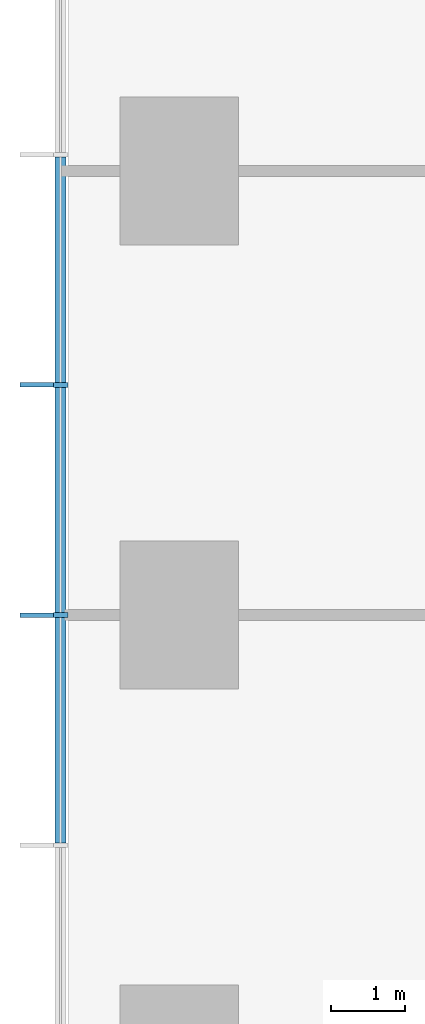
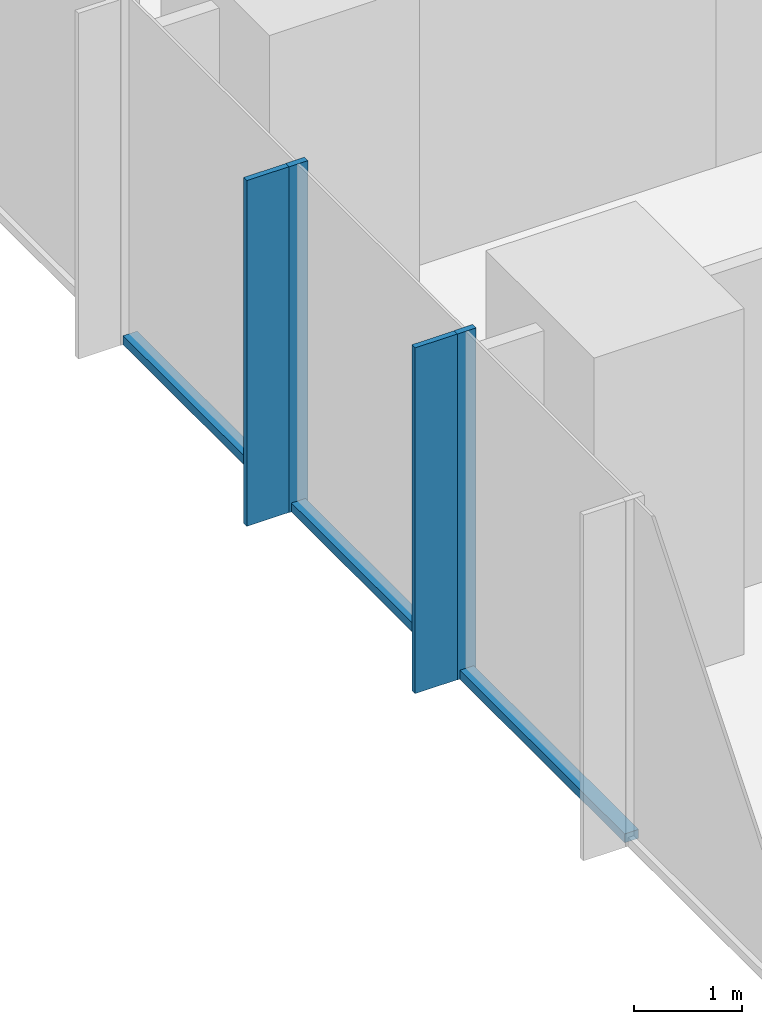
# One storey, part 3 of 11: 7 members, 1 element without a shape of its own.
"""IFC4 building model written with IfcOpenShell, lengths in metres."""

from ifc_helpers import new_model, si_unit, direction, frame, origin, origin_2d, place, context, subcontext, project, spatial, rectangle, extrude, material, layer, layer_set, material_profile, profile_set, type_object, element, aggregate, save


model = new_model("IFC4")

# Units and contexts
model_context = context("Model", 3, precision=1e-05, world=origin(), true_north=direction((0.0, 1.0)))
body_context = subcontext(model_context, "Body", "Model", "MODEL_VIEW")
ifc_project = project(units=[si_unit("LENGTHUNIT", "METRE"), si_unit("AREAUNIT", "SQUARE_METRE"), si_unit("VOLUMEUNIT", "CUBIC_METRE"), si_unit("PLANEANGLEUNIT", "RADIAN"), si_unit("MASSUNIT", "GRAM", prefix="KILO")], contexts=[model_context])

# Site, building, storey
site_placement = place(None, origin())
site = spatial("IfcSite", under=ifc_project, at=site_placement, CompositionType="ELEMENT")
building_placement = place(site_placement, origin())
building = spatial("IfcBuilding", under=site, at=building_placement, Name="Highveld Stack Headquarters", CompositionType="ELEMENT")
storey_placement = place(building_placement, frame((0.0, 0.0, 29.89990234375)))
storey = spatial("IfcBuildingStorey", under=building, at=storey_placement, Name="L06", CompositionType="ELEMENT", Elevation=29.89990234375)

# Curtain wall, members
ifc_material_1 = material(Name="Aluminium bronze anodised", Category="aluminium")
ifc_layer = layer(ifc_material_1, 0.199951171875)
ifc_layer_set = layer_set([ifc_layer], Name="Aluminium bronze anodised")
curtain_wall_type = type_object("IfcCurtainWallType", Name="CW1 TOWER UNITISED CURTAIN WALL", PredefinedType="NOTDEFINED", material=ifc_layer_set)
curtain_wall_placement = place(storey_placement, origin())
curtain_wall = element("IfcCurtainWall", 1, at=curtain_wall_placement, inside=storey, type_object=curtain_wall_type, Name="Curtain wall CW1 L06 W", PredefinedType="NOTDEFINED")
ifc_material_2 = material(Name="Aluminium bronze anodised", Category="aluminium")
ifc_material_profile_1 = material_profile(ifc_material_2, rectangle(XDim=0.449951171875, YDim=0.06005859375, at=origin_2d()), Name="FIN 450x60")
ifc_profile_set_1 = profile_set([ifc_material_profile_1], Name="Aluminium bronze anodised")
member_type_1 = type_object("IfcMemberType", Name="CW1 BRONZE FIN 450x60", PredefinedType="USERDEFINED", material=ifc_profile_set_1)
member_1_placement = place(storey_placement, frame((-25.925048828125, 3.110595703125, 0.0), z_axis=(0.0, 0.0, 1.0), x_axis=(1.0, 0.0, 0.0)))
member_1 = element("IfcMember", 2, at=member_1_placement, type_object=member_type_1, Name="CW1 fin L06 6", ObjectType="FIN", PredefinedType="USERDEFINED", context=body_context, shape_type="SweptSolid", body=[
    extrude(rectangle(XDim=0.449951171875, YDim=0.06005859375, at=origin_2d()), origin(), (0.0, 0.0, 1.0), 3.900146484375),
])
member_2_placement = place(storey_placement, frame((-25.925048828125, 0.0, 0.0), z_axis=(0.0, 0.0, 1.0), x_axis=(1.0, 0.0, 0.0)))
member_2 = element("IfcMember", 3, at=member_2_placement, type_object=member_type_1, Name="CW1 fin L06 7", ObjectType="FIN", PredefinedType="USERDEFINED", context=body_context, shape_type="SweptSolid", body=[
    extrude(rectangle(XDim=0.449951171875, YDim=0.06005859375, at=origin_2d()), origin(), (0.0, 0.0, 1.0), 3.900146484375),
])
ifc_material_3 = material(Name="Aluminium bronze anodised", Category="aluminium")
ifc_material_profile_2 = material_profile(ifc_material_3, rectangle(XDim=0.199951171875, YDim=0.06494140625, at=origin_2d()), Name="CW1 MULLION 65x200")
ifc_profile_set_2 = profile_set([ifc_material_profile_2], Name="Aluminium bronze anodised")
member_type_2 = type_object("IfcMemberType", Name="CW1 MULLION 65x200", PredefinedType="MULLION", material=ifc_profile_set_2)
member_3_placement = place(storey_placement, frame((-25.60009765625, 3.110595703125, 0.0), z_axis=(0.0, 0.0, 1.0), x_axis=(1.0, 0.0, 0.0)))
member_3 = element("IfcMember", 4, at=member_3_placement, type_object=member_type_2, Name="CW1 mullion L06 6", PredefinedType="MULLION", context=body_context, shape_type="SweptSolid", body=[
    extrude(rectangle(XDim=0.199951171875, YDim=0.06494140625, at=origin_2d()), origin(), (0.0, 0.0, 1.0), 3.900146484375),
])
member_4_placement = place(storey_placement, frame((-25.60009765625, 0.0, 0.0), z_axis=(0.0, 0.0, 1.0), x_axis=(1.0, 0.0, 0.0)))
member_4 = element("IfcMember", 5, at=member_4_placement, type_object=member_type_2, Name="CW1 mullion L06 7", PredefinedType="MULLION", context=body_context, shape_type="SweptSolid", body=[
    extrude(rectangle(XDim=0.199951171875, YDim=0.06494140625, at=origin_2d()), origin(), (0.0, 0.0, 1.0), 3.900146484375),
])
ifc_material_4 = material(Name="Aluminium bronze anodised", Category="aluminium")
ifc_material_profile_3 = material_profile(ifc_material_4, rectangle(XDim=0.14990234375, YDim=0.10009765625, at=origin_2d()), Name="CW1 TRANSOM 150x100")
ifc_profile_set_3 = profile_set([ifc_material_profile_3], Name="Aluminium bronze anodised")
member_type_3 = type_object("IfcMemberType", Name="CW1 STACK TRANSOM 150x100", PredefinedType="USERDEFINED", material=ifc_profile_set_3)
member_5_placement = place(storey_placement, frame((-25.60009765625, 6.1884765625, 0.050048828125), z_axis=(0.0, -1.0, 0.0), x_axis=(1.0, 0.0, 0.0)))
member_5 = element("IfcMember", 6, at=member_5_placement, type_object=member_type_3, Name="CW1 transom L06 5.1", ObjectType="TRANSOM", PredefinedType="USERDEFINED", context=body_context, shape_type="SweptSolid", body=[
    extrude(rectangle(XDim=0.14990234375, YDim=0.10009765625, at=origin_2d()), origin(), (0.0, 0.0, 1.0), 3.04541015625),
])
member_6_placement = place(storey_placement, frame((-25.60009765625, 3.077880859375, 0.050048828125), z_axis=(0.0, -1.0, 0.0), x_axis=(1.0, 0.0, 0.0)))
member_6 = element("IfcMember", 7, at=member_6_placement, type_object=member_type_3, Name="CW1 transom L06 6.1", ObjectType="TRANSOM", PredefinedType="USERDEFINED", context=body_context, shape_type="SweptSolid", body=[
    extrude(rectangle(XDim=0.14990234375, YDim=0.10009765625, at=origin_2d()), origin(), (0.0, 0.0, 1.0), 3.04541015625),
])
member_7_placement = place(storey_placement, frame((-25.60009765625, -0.032470703125, 0.050048828125), z_axis=(0.0, -1.0, 0.0), x_axis=(1.0, 0.0, 0.0)))
member_7 = element("IfcMember", 8, at=member_7_placement, type_object=member_type_3, Name="CW1 transom L06 7.1", ObjectType="TRANSOM", PredefinedType="USERDEFINED", context=body_context, shape_type="SweptSolid", body=[
    extrude(rectangle(XDim=0.14990234375, YDim=0.10009765625, at=origin_2d()), origin(), (0.0, 0.0, 1.0), 3.04541015625),
])
aggregate(curtain_wall, [member_3, member_1, member_4, member_2, member_5, member_6, member_7])

save(model, "model.ifc")
